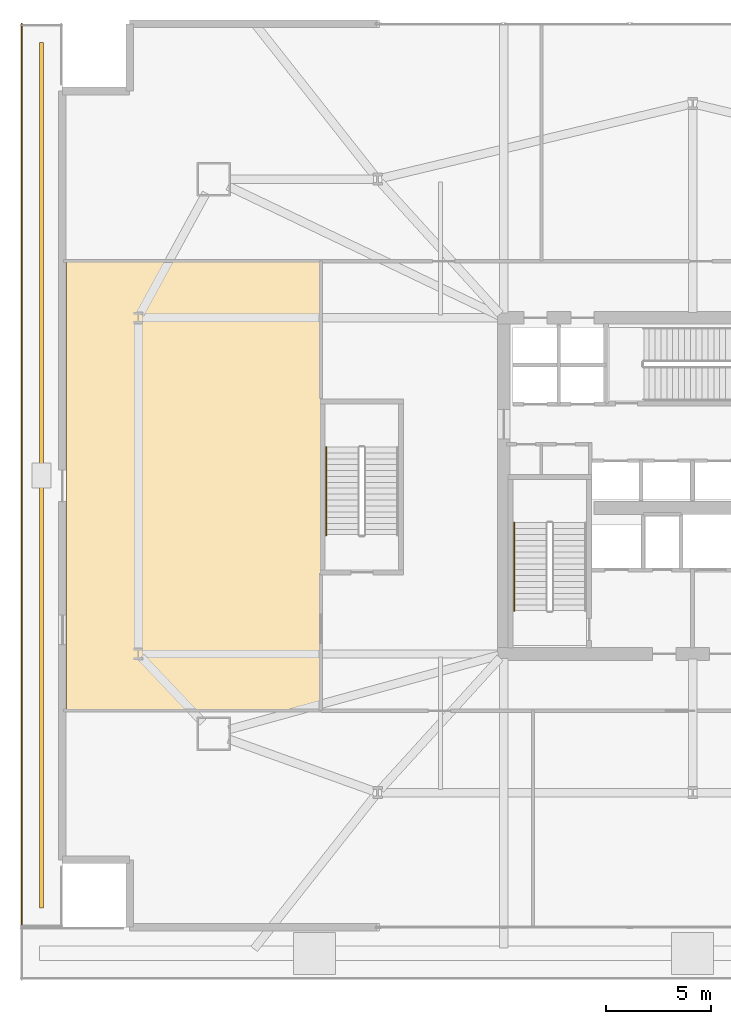
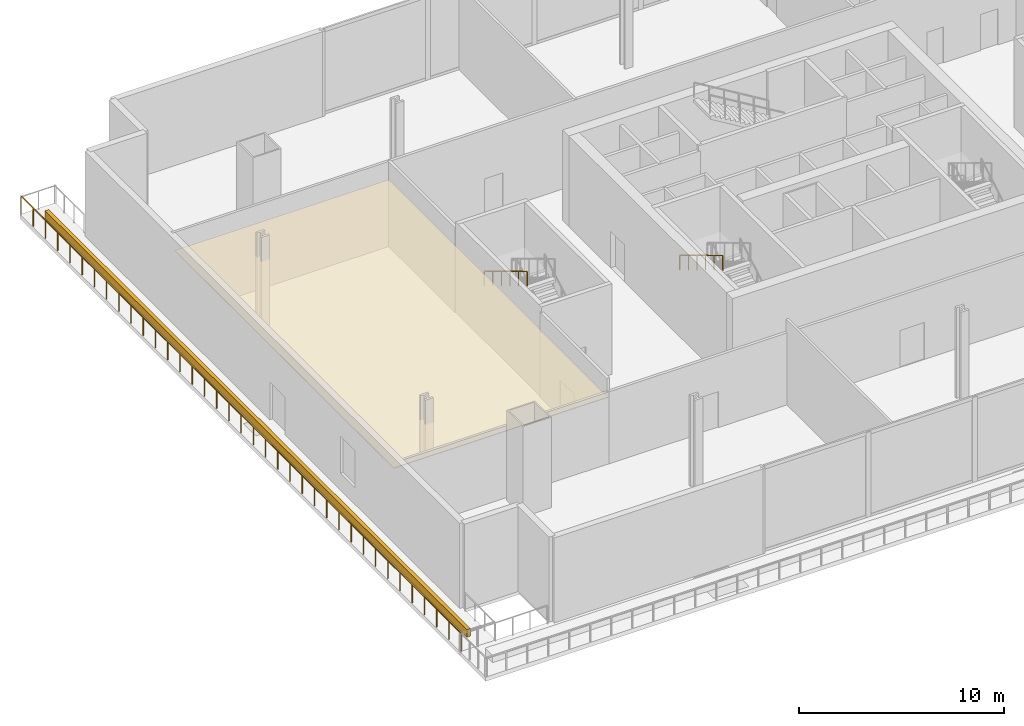
# One storey, part 15 of 20: 3 railings, 2 coverings.
"""IFC4 building model written with IfcOpenShell, lengths in metres."""

from ifc_helpers import new_model, si_unit, direction, frame, origin, origin_2d, place, context, subcontext, project, spatial, polyline, rectangle, outline, extrude, material, layer, layer_set, type_object, element, save


model = new_model("IFC4")

# Units and contexts
model_context = context("Model", 3, precision=1e-05, world=origin(), true_north=direction((0.0, 1.0)))
body_context = subcontext(model_context, "Body", "Model", "MODEL_VIEW")
ifc_project = project(units=[si_unit("LENGTHUNIT", "METRE"), si_unit("AREAUNIT", "SQUARE_METRE"), si_unit("VOLUMEUNIT", "CUBIC_METRE"), si_unit("PLANEANGLEUNIT", "RADIAN"), si_unit("MASSUNIT", "GRAM", prefix="KILO")], contexts=[model_context])

# Site, building, storey
site_placement = place(None, origin())
site = spatial("IfcSite", under=ifc_project, at=site_placement, CompositionType="ELEMENT")
building_placement = place(site_placement, origin())
building = spatial("IfcBuilding", under=site, at=building_placement, Name="Haldenkirk Collegiate Tower", CompositionType="ELEMENT")
storey_placement = place(building_placement, frame((0.0, 0.0, 6.0)))
storey = spatial("IfcBuildingStorey", under=building, at=storey_placement, Name="L01", CompositionType="ELEMENT", Elevation=6.0)

# Coverings
ifc_material_1 = material(Name="Suspended mineral-fibre acoustic tile", Category="concrete")
ifc_layer_1 = layer(ifc_material_1, 0.0400390625)
ifc_layer_set_1 = layer_set([ifc_layer_1], Name="Suspended mineral-fibre acoustic tile")
covering_type_1 = type_object("IfcCoveringType", Name="COV-CEIL-ACOUSTIC", PredefinedType="CEILING", material=ifc_layer_set_1)
covering_1_placement = place(storey_placement, frame((0.0, 0.0, 3.89990234375)))
element("IfcCovering", 1, at=covering_1_placement, inside=storey, type_object=covering_type_1, Name="L01 acoustic suspended ceiling CLG-L01-LT1", PredefinedType="CEILING", context=body_context, shape_type="SweptSolid", body=[
    extrude(outline(polyline([(6.199951171875, 15.300048828125), (18.300048828125, 15.300048828125), (18.300048828125, 36.699951171875), (6.199951171875, 36.699951171875), (6.199951171875, 15.300048828125)])), origin(), (0.0, 0.0, 1.0), 0.0400390625),
])
ifc_material_2 = material(Name="Precast concrete f'c 40 MPa", Category="concrete")
ifc_layer_2 = layer(ifc_material_2, 0.449951171875)
ifc_layer_set_2 = layer_set([ifc_layer_2], Name="Precast concrete f'c 40 MPa")
covering_type_2 = type_object("IfcCoveringType", Name="COV-PLANTER-450", PredefinedType="USERDEFINED", material=ifc_layer_set_2)
covering_2_placement = place(storey_placement, origin())
element("IfcCovering", 2, at=covering_2_placement, inside=storey, type_object=covering_type_2, Name="L01 planted garden planter bed", ObjectType="PLANTER", PredefinedType="USERDEFINED", context=body_context, shape_type="SweptSolid", body=[
    extrude(outline(polyline([(4.89990234375, 5.89990234375), (4.89990234375, 47.10009765625), (5.10009765625, 47.10009765625), (5.10009765625, 5.89990234375), (4.89990234375, 5.89990234375)])), origin(), (0.0, 0.0, 1.0), 0.449951171875),
])

# Railings
ifc_material_3 = material(Name="Painted architectural tubular steel", Category="steel")
railing_type_1 = type_object("IfcRailingType", Name="RLG-STAIR-HANDRAIL-900", PredefinedType="HANDRAIL", material=ifc_material_3)
railing_1_placement = place(storey_placement, frame((27.5, 24.25, 2.86865234375)))
element("IfcRailing", 3, at=railing_1_placement, inside=storey, type_object=railing_type_1, Name="L01 ST-1 stair handrail 2", PredefinedType="HANDRAIL", context=body_context, shape_type="SweptSolid", body=[
    extrude(rectangle(XDim=0.048095703125, YDim=0.048095703125, at=origin_2d()), frame((0.0, 0.0, 0.8759765625), z_axis=(0.0, -0.856476492594, 0.516186030065), x_axis=(1.0, 0.0, 0.0)), (0.0, 0.0, 1.0), 4.90380859375),
    extrude(rectangle(XDim=0.0419921875, YDim=0.0419921875, at=origin_2d()), origin(), (0.0, 0.0, 1.0), 0.851806640625),
    extrude(rectangle(XDim=0.0419921875, YDim=0.0419921875, at=origin_2d()), frame((0.0, -0.840087890625, 0.50634765625)), (0.0, 0.0, 1.0), 0.851806640625),
    extrude(rectangle(XDim=0.0419921875, YDim=0.0419921875, at=origin_2d()), frame((0.0, -1.679931640625, 1.012451171875)), (0.0, 0.0, 1.0), 0.851806640625),
    extrude(rectangle(XDim=0.0419921875, YDim=0.0419921875, at=origin_2d()), frame((0.0, -2.52001953125, 1.518798828125)), (0.0, 0.0, 1.0), 0.851806640625),
    extrude(rectangle(XDim=0.0419921875, YDim=0.0419921875, at=origin_2d()), frame((0.0, -3.35986328125, 2.02490234375)), (0.0, 0.0, 1.0), 0.851806640625),
    extrude(rectangle(XDim=0.0419921875, YDim=0.0419921875, at=origin_2d()), frame((0.0, -4.199951171875, 2.53125)), (0.0, 0.0, 1.0), 0.851806640625),
])
railing_2_placement = place(storey_placement, frame((18.550048828125, 27.85009765625, 2.86865234375)))
element("IfcRailing", 4, at=railing_2_placement, inside=storey, type_object=railing_type_1, Name="L01 ST-4 stair handrail 2", PredefinedType="HANDRAIL", context=body_context, shape_type="SweptSolid", body=[
    extrude(rectangle(XDim=0.048095703125, YDim=0.048095703125, at=origin_2d()), frame((0.0, 0.0, 0.8759765625), z_axis=(0.0, -0.856489757249, 0.516164020179), x_axis=(1.0, 0.0, 0.0)), (0.0, 0.0, 1.0), 4.904052734375),
    extrude(rectangle(XDim=0.0419921875, YDim=0.0419921875, at=origin_2d()), origin(), (0.0, 0.0, 1.0), 0.851806640625),
    extrude(rectangle(XDim=0.0419921875, YDim=0.0419921875, at=origin_2d()), frame((0.0, -0.840087890625, 0.50634765625)), (0.0, 0.0, 1.0), 0.851806640625),
    extrude(rectangle(XDim=0.0419921875, YDim=0.0419921875, at=origin_2d()), frame((0.0, -1.68017578125, 1.012451171875)), (0.0, 0.0, 1.0), 0.851806640625),
    extrude(rectangle(XDim=0.0419921875, YDim=0.0419921875, at=origin_2d()), frame((0.0, -2.52001953125, 1.518798828125)), (0.0, 0.0, 1.0), 0.851806640625),
    extrude(rectangle(XDim=0.0419921875, YDim=0.0419921875, at=origin_2d()), frame((0.0, -3.360107421875, 2.02490234375)), (0.0, 0.0, 1.0), 0.851806640625),
    extrude(rectangle(XDim=0.0419921875, YDim=0.0419921875, at=origin_2d()), frame((0.0, -4.2001953125, 2.53125)), (0.0, 0.0, 1.0), 0.851806640625),
])
ifc_material_4 = material(Name="Anodised architectural bronze aluminium", Category="aluminium")
railing_type_2 = type_object("IfcRailingType", Name="RLG-TERR-BALUSTRADE-1100", PredefinedType="BALUSTRADE", material=ifc_material_4)
railing_3_placement = place(storey_placement, frame((4.06005859375, 48.0, 0.0)))
element("IfcRailing", 5, at=railing_3_placement, inside=storey, type_object=railing_type_2, Name="L01 terrace guard balustrade 4-1", PredefinedType="BALUSTRADE", context=body_context, shape_type="SweptSolid", body=[
    extrude(rectangle(XDim=0.048095703125, YDim=0.048095703125, at=origin_2d()), frame((0.0, 0.0, 1.076171875), z_axis=(0.0, -1.0, 0.0), x_axis=(1.0, 0.0, 0.0)), (0.0, 0.0, 1.0), 43.0),
    extrude(rectangle(XDim=0.0419921875, YDim=0.0419921875, at=origin_2d()), origin(), (0.0, 0.0, 1.0), 1.052001953125),
    extrude(rectangle(XDim=0.0419921875, YDim=0.0419921875, at=origin_2d()), frame((0.0, -1.1943359375, 0.0)), (0.0, 0.0, 1.0), 1.052001953125),
    extrude(rectangle(XDim=0.0419921875, YDim=0.0419921875, at=origin_2d()), frame((0.0, -2.388916015625, 0.0)), (0.0, 0.0, 1.0), 1.052001953125),
    extrude(rectangle(XDim=0.0419921875, YDim=0.0419921875, at=origin_2d()), frame((0.0, -3.583251953125, 0.0)), (0.0, 0.0, 1.0), 1.052001953125),
    extrude(rectangle(XDim=0.0419921875, YDim=0.0419921875, at=origin_2d()), frame((0.0, -4.77783203125, 0.0)), (0.0, 0.0, 1.0), 1.052001953125),
    extrude(rectangle(XDim=0.0419921875, YDim=0.0419921875, at=origin_2d()), frame((0.0, -5.97216796875, 0.0)), (0.0, 0.0, 1.0), 1.052001953125),
    extrude(rectangle(XDim=0.0419921875, YDim=0.0419921875, at=origin_2d()), frame((0.0, -7.166748046875, 0.0)), (0.0, 0.0, 1.0), 1.052001953125),
    extrude(rectangle(XDim=0.0419921875, YDim=0.0419921875, at=origin_2d()), frame((0.0, -8.361083984375, 0.0)), (0.0, 0.0, 1.0), 1.052001953125),
    extrude(rectangle(XDim=0.0419921875, YDim=0.0419921875, at=origin_2d()), frame((0.0, -9.5556640625, 0.0)), (0.0, 0.0, 1.0), 1.052001953125),
    extrude(rectangle(XDim=0.0419921875, YDim=0.0419921875, at=origin_2d()), frame((0.0, -10.75, 0.0)), (0.0, 0.0, 1.0), 1.052001953125),
    extrude(rectangle(XDim=0.0419921875, YDim=0.0419921875, at=origin_2d()), frame((0.0, -11.9443359375, 0.0)), (0.0, 0.0, 1.0), 1.052001953125),
    extrude(rectangle(XDim=0.0419921875, YDim=0.0419921875, at=origin_2d()), frame((0.0, -13.138916015625, 0.0)), (0.0, 0.0, 1.0), 1.052001953125),
    extrude(rectangle(XDim=0.0419921875, YDim=0.0419921875, at=origin_2d()), frame((0.0, -14.333251953125, 0.0)), (0.0, 0.0, 1.0), 1.052001953125),
    extrude(rectangle(XDim=0.0419921875, YDim=0.0419921875, at=origin_2d()), frame((0.0, -15.52783203125, 0.0)), (0.0, 0.0, 1.0), 1.052001953125),
    extrude(rectangle(XDim=0.0419921875, YDim=0.0419921875, at=origin_2d()), frame((0.0, -16.72216796875, 0.0)), (0.0, 0.0, 1.0), 1.052001953125),
    extrude(rectangle(XDim=0.0419921875, YDim=0.0419921875, at=origin_2d()), frame((0.0, -17.916748046875, 0.0)), (0.0, 0.0, 1.0), 1.052001953125),
    extrude(rectangle(XDim=0.0419921875, YDim=0.0419921875, at=origin_2d()), frame((0.0, -19.111083984375, 0.0)), (0.0, 0.0, 1.0), 1.052001953125),
    extrude(rectangle(XDim=0.0419921875, YDim=0.0419921875, at=origin_2d()), frame((0.0, -20.3056640625, 0.0)), (0.0, 0.0, 1.0), 1.052001953125),
    extrude(rectangle(XDim=0.0419921875, YDim=0.0419921875, at=origin_2d()), frame((0.0, -21.5, 0.0)), (0.0, 0.0, 1.0), 1.052001953125),
    extrude(rectangle(XDim=0.0419921875, YDim=0.0419921875, at=origin_2d()), frame((0.0, -22.6943359375, 0.0)), (0.0, 0.0, 1.0), 1.052001953125),
    extrude(rectangle(XDim=0.0419921875, YDim=0.0419921875, at=origin_2d()), frame((0.0, -23.888916015625, 0.0)), (0.0, 0.0, 1.0), 1.052001953125),
    extrude(rectangle(XDim=0.0419921875, YDim=0.0419921875, at=origin_2d()), frame((0.0, -25.083251953125, 0.0)), (0.0, 0.0, 1.0), 1.052001953125),
    extrude(rectangle(XDim=0.0419921875, YDim=0.0419921875, at=origin_2d()), frame((0.0, -26.27783203125, 0.0)), (0.0, 0.0, 1.0), 1.052001953125),
    extrude(rectangle(XDim=0.0419921875, YDim=0.0419921875, at=origin_2d()), frame((0.0, -27.47216796875, 0.0)), (0.0, 0.0, 1.0), 1.052001953125),
    extrude(rectangle(XDim=0.0419921875, YDim=0.0419921875, at=origin_2d()), frame((0.0, -28.666748046875, 0.0)), (0.0, 0.0, 1.0), 1.052001953125),
    extrude(rectangle(XDim=0.0419921875, YDim=0.0419921875, at=origin_2d()), frame((0.0, -29.861083984375, 0.0)), (0.0, 0.0, 1.0), 1.052001953125),
    extrude(rectangle(XDim=0.0419921875, YDim=0.0419921875, at=origin_2d()), frame((0.0, -31.0556640625, 0.0)), (0.0, 0.0, 1.0), 1.052001953125),
    extrude(rectangle(XDim=0.0419921875, YDim=0.0419921875, at=origin_2d()), frame((0.0, -32.25, 0.0)), (0.0, 0.0, 1.0), 1.052001953125),
    extrude(rectangle(XDim=0.0419921875, YDim=0.0419921875, at=origin_2d()), frame((0.0, -33.4443359375, 0.0)), (0.0, 0.0, 1.0), 1.052001953125),
    extrude(rectangle(XDim=0.0419921875, YDim=0.0419921875, at=origin_2d()), frame((0.0, -34.638916015625, 0.0)), (0.0, 0.0, 1.0), 1.052001953125),
    extrude(rectangle(XDim=0.0419921875, YDim=0.0419921875, at=origin_2d()), frame((0.0, -35.833251953125, 0.0)), (0.0, 0.0, 1.0), 1.052001953125),
    extrude(rectangle(XDim=0.0419921875, YDim=0.0419921875, at=origin_2d()), frame((0.0, -37.02783203125, 0.0)), (0.0, 0.0, 1.0), 1.052001953125),
    extrude(rectangle(XDim=0.0419921875, YDim=0.0419921875, at=origin_2d()), frame((0.0, -38.22216796875, 0.0)), (0.0, 0.0, 1.0), 1.052001953125),
    extrude(rectangle(XDim=0.0419921875, YDim=0.0419921875, at=origin_2d()), frame((0.0, -39.416748046875, 0.0)), (0.0, 0.0, 1.0), 1.052001953125),
    extrude(rectangle(XDim=0.0419921875, YDim=0.0419921875, at=origin_2d()), frame((0.0, -40.611083984375, 0.0)), (0.0, 0.0, 1.0), 1.052001953125),
    extrude(rectangle(XDim=0.0419921875, YDim=0.0419921875, at=origin_2d()), frame((0.0, -41.8056640625, 0.0)), (0.0, 0.0, 1.0), 1.052001953125),
    extrude(rectangle(XDim=0.0419921875, YDim=0.0419921875, at=origin_2d()), frame((0.0, -43.0, 0.0)), (0.0, 0.0, 1.0), 1.052001953125),
])

save(model, "model.ifc")
